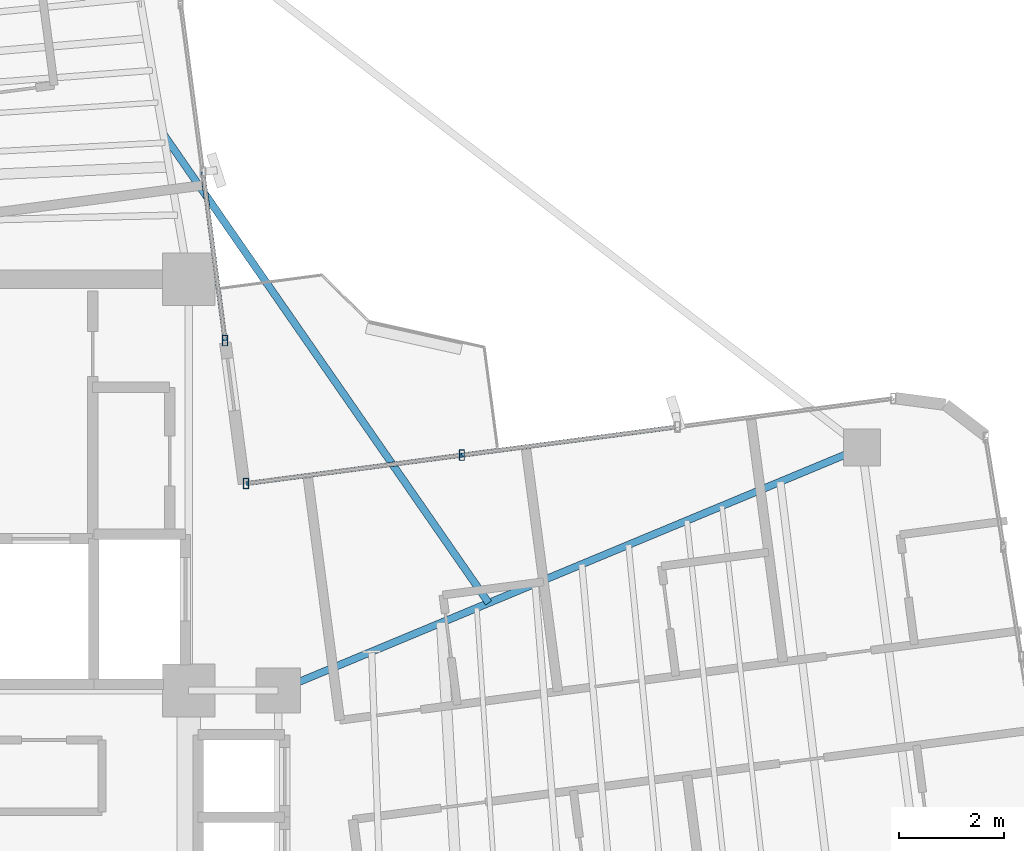
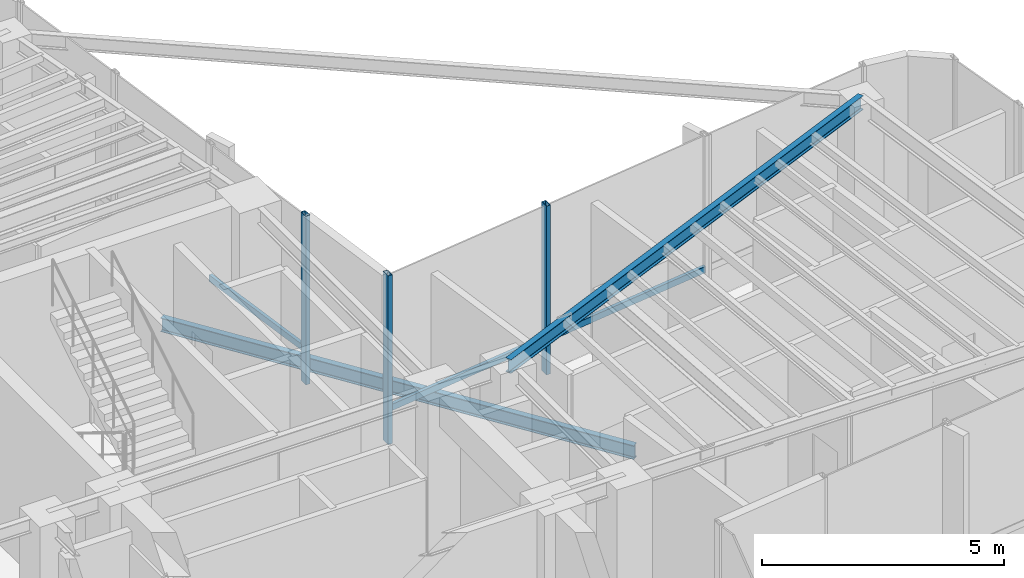
# One storey, part 7 of 20: 6 members, 2 beams, 2 elements without a shape of their own.
"""IFC4 building model written with IfcOpenShell, lengths in metres."""

import ifcopenshell
import ifcopenshell.guid

model = None  # the IFC model being written
_history = None  # IfcOwnerHistory: only IFC2X3 demands one
_inside = {}  # id of a spatial element -> (the spatial element, [elements in it])
_under = {}  # id of a project, library or spatial element -> (it, [spatial elements below it])
_declared = {}  # id of a project -> (the project, [libraries it declares])
_typed = {}  # id of a type object -> (the type object, [elements of that type])
_made_of = {}  # id of a material, layer set ... -> (it, [elements and type objects made of it])


def new_model(schema):
    """Start an empty IFC model of exactly this schema.

    Asked for "IFC4X3", IfcOpenShell would pick the latest addendum, in which some entities
    have other attributes; the version numbers below select the first issue.
    IFC2X3 requires an IfcOwnerHistory on every rooted entity: one is made here for all.
    """
    global model, _history
    if schema == "IFC4X3":
        model = ifcopenshell.file(schema_version=(4, 3, 0, 0))
    else:
        model = ifcopenshell.file(schema=schema)
    _inside.clear()
    _under.clear()
    _declared.clear()
    _typed.clear()
    _made_of.clear()
    _history = None
    if model.schema == "IFC2X3":
        org = make("IfcOrganization", Name="unknown")
        user = make(
            "IfcPersonAndOrganization",
            ThePerson=make("IfcPerson", FamilyName="unknown"),
            TheOrganization=org,
        )
        app = make(
            "IfcApplication",
            ApplicationDeveloper=org,
            Version="unknown",
            ApplicationFullName="unknown",
            ApplicationIdentifier="unknown",
        )
        _history = make(
            "IfcOwnerHistory",
            OwningUser=user,
            OwningApplication=app,
            ChangeAction="ADDED",
            CreationDate=0,
        )
    return model


def make(cls, **values):
    """One entity of the class cls with the attributes given. An attribute that is None is left unset."""
    return model.create_entity(
        cls, **{name: value for name, value in values.items() if value is not None}
    )


def rooted(cls, **values):
    """An entity with a GlobalId (a new one), such as an element, a storey or a relation."""
    return make(cls, GlobalId=ifcopenshell.guid.new(), OwnerHistory=_history, **values)


def si_unit(unit_type, name, prefix=None):
    """IfcSIUnit, for example si_unit("LENGTHUNIT", "METRE", prefix="MILLI")."""
    return make("IfcSIUnit", UnitType=unit_type, Prefix=prefix, Name=name)


def assignment(units):
    """IfcUnitAssignment: the units of a project."""
    return None if units is None else make("IfcUnitAssignment", Units=units)


def point(xyz):
    """IfcCartesianPoint."""
    return None if xyz is None else make("IfcCartesianPoint", Coordinates=xyz)


def direction(xyz):
    """IfcDirection."""
    return None if xyz is None else make("IfcDirection", DirectionRatios=xyz)


def frame(location, z_axis=None, x_axis=None):
    """IfcAxis2Placement3D, a coordinate frame: its origin and axes. An axis left out is left unset."""
    return make(
        "IfcAxis2Placement3D",
        Location=point(location),
        Axis=direction(z_axis),
        RefDirection=direction(x_axis),
    )


def frame_2d(location, x_axis=None):
    """IfcAxis2Placement2D, a coordinate frame in the plane: its origin and x axis."""
    return make(
        "IfcAxis2Placement2D", Location=point(location), RefDirection=direction(x_axis)
    )


def origin():
    """The frame at (0, 0, 0) with its axes left unset."""
    return frame((0.0, 0.0, 0.0))


def origin_2d():
    """The frame at (0, 0) in the plane with its x axis left unset."""
    return frame_2d((0.0, 0.0))


def place(relative_to, where):
    """IfcLocalPlacement: puts the frame where relative to a parent placement (None: the world)."""
    return make(
        "IfcLocalPlacement", PlacementRelTo=relative_to, RelativePlacement=where
    )


def context(
    kind, dimensions, precision=None, world=None, true_north=None, identifier=None
):
    """IfcGeometricRepresentationContext, for example the 3D "Model" context."""
    return make(
        "IfcGeometricRepresentationContext",
        ContextIdentifier=identifier,
        ContextType=kind,
        CoordinateSpaceDimension=dimensions,
        Precision=precision,
        WorldCoordinateSystem=world,
        TrueNorth=true_north,
    )


def subcontext(parent, identifier, kind, view, scale=None):
    """IfcGeometricRepresentationSubContext, for example "Body" below "Model"."""
    return make(
        "IfcGeometricRepresentationSubContext",
        ContextIdentifier=identifier,
        ContextType=kind,
        ParentContext=parent,
        TargetScale=scale,
        TargetView=view,
    )


def project(units=None, contexts=None):
    """IfcProject with its units and contexts."""
    return rooted(
        "IfcProject",
        Name="project",
        RepresentationContexts=contexts,
        UnitsInContext=assignment(units),
    )


def spatial(cls, under=None, at=None, **own):
    """A site, building, storey or space (cls), placed at a placement, below another one or the project."""
    s = rooted(cls, ObjectPlacement=at, **own)
    if under is not None:
        _under.setdefault(under.id(), (under, []))[1].append(s)
    return s


def profile(cls, at=None, kind="AREA", **sizes):
    """A parametric profile (cls). Its sizes go by their IFC names, for example OverallWidth=200.0."""
    return make(cls, ProfileType=kind, Position=at, **sizes)


def hollow_rectangle(**sizes):
    """IfcRectangleHollowProfileDef."""
    return profile("IfcRectangleHollowProfileDef", **sizes)


def i_section(**sizes):
    """IfcIShapeProfileDef."""
    return profile("IfcIShapeProfileDef", **sizes)


def extrude(swept, where, along, depth):
    """IfcExtrudedAreaSolid: the profile swept, set in the frame where, extruded along a direction by depth."""
    return make(
        "IfcExtrudedAreaSolid",
        SweptArea=swept,
        Position=where,
        ExtrudedDirection=direction(along),
        Depth=depth,
    )


def shape(context_of_items, identifier, shape_type, items):
    """IfcShapeRepresentation: the items that make up one representation, for example the "Body"."""
    return make(
        "IfcShapeRepresentation",
        ContextOfItems=context_of_items,
        RepresentationIdentifier=identifier,
        RepresentationType=shape_type,
        Items=items,
    )


def source(mapping_origin, context_of_items, identifier, shape_type, items):
    """IfcRepresentationMap: a shape defined once, which mapped items show again and again."""
    return make(
        "IfcRepresentationMap",
        MappingOrigin=mapping_origin,
        MappedRepresentation=shape(context_of_items, identifier, shape_type, items),
    )


def transform(
    local_origin,
    x_axis=None,
    y_axis=None,
    z_axis=None,
    scale=None,
    scale2=None,
    scale3=None,
    uniform=True,
):
    """IfcCartesianTransformationOperator3D, or its non-uniform kind. x_axis, y_axis, z_axis: its Axis1, 2, 3."""
    if uniform:
        return make(
            "IfcCartesianTransformationOperator3D",
            Axis1=direction(x_axis),
            Axis2=direction(y_axis),
            LocalOrigin=point(local_origin),
            Scale=scale,
            Axis3=direction(z_axis),
        )
    return make(
        "IfcCartesianTransformationOperator3DnonUniform",
        Axis1=direction(x_axis),
        Axis2=direction(y_axis),
        LocalOrigin=point(local_origin),
        Scale=scale,
        Axis3=direction(z_axis),
        Scale2=scale2,
        Scale3=scale3,
    )


def mapped(mapping_source, mapping_target):
    """IfcMappedItem: shows the shape of a source again, moved by a transform."""
    return make(
        "IfcMappedItem", MappingSource=mapping_source, MappingTarget=mapping_target
    )


def material(Name=None, Category=None):
    """IfcMaterial."""
    return make("IfcMaterial", Name=Name, Category=Category)


def material_profile(
    of_material, cross_section, Name=None, Category=None, Priority=None
):
    """IfcMaterialProfile: a cross section and its material."""
    return make(
        "IfcMaterialProfile",
        Name=Name,
        Material=of_material,
        Profile=cross_section,
        Priority=Priority,
        Category=Category,
    )


def profile_set(profiles, Name=None, composite=None):
    """IfcMaterialProfileSet."""
    return make(
        "IfcMaterialProfileSet",
        Name=Name,
        MaterialProfiles=profiles,
        CompositeProfile=composite,
    )


def made_of(thing, what):
    """Note that an element or type object is made of a material, layer set ...; save() writes the relation."""
    if what is not None:
        _made_of.setdefault(what.id(), (what, []))[1].append(thing)
    return thing


def type_object(cls, material=None, **own):
    """A type object (cls), such as IfcWallType, which elements share."""
    return made_of(rooted(cls, **own), material)


def element(
    cls,
    number,
    at=None,
    inside=None,
    cuts=None,
    type_object=None,
    material=None,
    context=None,
    identifier="Body",
    shape_type=None,
    held_by="IfcProductDefinitionShape",
    body=None,
    shapes=None,
    **own,
):
    """One element of the class cls, such as IfcWall. Its Tag is "e" and its number.

    at: its placement. inside: the storey or other place that contains it. cuts: it is an
    opening in that element (IfcRelVoidsElement). A single representation is given by context,
    identifier, shape_type and body (its items); several are given by shapes. held_by: the class
    of the entity that holds the representations. save() writes the other relations.
    """
    e = rooted(cls, Tag="e%d" % number, ObjectPlacement=at, **own)
    if body is not None:
        shapes = [shape(context, identifier, shape_type, body)]
    if shapes is not None:
        e.Representation = make(held_by, Representations=shapes)
    if inside is not None:
        _inside.setdefault(inside.id(), (inside, []))[1].append(e)
    if cuts is not None:
        rooted(
            "IfcRelVoidsElement", RelatingBuildingElement=cuts, RelatedOpeningElement=e
        )
    if type_object is not None:
        _typed.setdefault(type_object.id(), (type_object, []))[1].append(e)
    return made_of(e, material)


def aggregate(whole, parts):
    """IfcRelAggregates: a whole, such as a stair, and the parts it consists of."""
    return rooted("IfcRelAggregates", RelatingObject=whole, RelatedObjects=parts)


def save(model, path):
    """Write the relations noted so far, then the file.

    IfcRelAggregates (storeys below a building ...), IfcRelContainedInSpatialStructure (elements
    in a storey), IfcRelDefinesByType, IfcRelAssociatesMaterial and IfcRelDeclares: one each for
    every whole, place, type object, material and project.
    """
    for whole, parts in _under.values():
        aggregate(whole, parts)
    for where, things in _inside.values():
        rooted(
            "IfcRelContainedInSpatialStructure",
            RelatedElements=things,
            RelatingStructure=where,
        )
    for kind, things in _typed.values():
        rooted("IfcRelDefinesByType", RelatedObjects=things, RelatingType=kind)
    for what, things in _made_of.values():
        rooted("IfcRelAssociatesMaterial", RelatedObjects=things, RelatingMaterial=what)
    for by, libraries in _declared.values():
        rooted("IfcRelDeclares", RelatingContext=by, RelatedDefinitions=libraries)
    model.write(path)


model = new_model("IFC4")

# Units and contexts
model_context = context("Model", 3, precision=1e-05, world=origin(), true_north=direction((0.0, 1.0)))
body_context = subcontext(model_context, "Body", "Model", "MODEL_VIEW")
ifc_project = project(units=[si_unit("LENGTHUNIT", "METRE"), si_unit("AREAUNIT", "SQUARE_METRE"), si_unit("VOLUMEUNIT", "CUBIC_METRE"), si_unit("PLANEANGLEUNIT", "RADIAN"), si_unit("MASSUNIT", "GRAM", prefix="KILO")], contexts=[model_context])

# Site, building, storey
site_placement = place(None, origin())
site = spatial("IfcSite", under=ifc_project, at=site_placement, CompositionType="ELEMENT")
building_placement = place(site_placement, origin())
building = spatial("IfcBuilding", under=site, at=building_placement, Name="Sahyath Konkavel Grand Hotel", CompositionType="ELEMENT")
storey_placement = place(building_placement, frame((0.0, 0.0, 229.949951171875)))
storey = spatial("IfcBuildingStorey", under=building, at=storey_placement, Name="L64", CompositionType="ELEMENT", Elevation=229.949951171875)

# Beam
ifc_material_1 = material(Name="Steel E350", Category="steel")
ifc_material_profile_1 = material_profile(ifc_material_1, i_section(OverallWidth=0.139892578125, OverallDepth=0.35009765625, WebThickness=0.008056640625, FlangeThickness=0.01416015625, FilletRadius=0.013916015625, at=origin_2d()), Name="ISMB 350")
ifc_profile_set_1 = profile_set([ifc_material_profile_1], Name="Steel E350")
beam_type_1 = type_object("IfcBeamType", Name="BM-ISMB350", PredefinedType="BEAM", material=ifc_profile_set_1)
shared_shape_1 = source(origin(), body_context, "Body", "SweptSolid", [
    extrude(i_section(OverallWidth=0.139892578125, OverallDepth=0.35009765625, WebThickness=0.008056640625, FlangeThickness=0.01416015625, FilletRadius=0.013916015625, at=origin_2d()), origin(), (0.0, 0.0, 1.0), 11.994140625),
])
beam_1_placement = place(storey_placement, frame((5.5, 2.39990234375, 4.0849609375), z_axis=(0.923308009601, 0.384060306992, 0.0), x_axis=(-0.384060306992, 0.923308009601, 0.0)))
element("IfcBeam", 1, at=beam_1_placement, inside=storey, type_object=beam_type_1, Name="L64 Cruciform Radial Girder EB", PredefinedType="BEAM", context=body_context, shape_type="MappedRepresentation", body=[
    mapped(shared_shape_1, transform((0.0, 0.0, 0.0), scale=1.0)),
])

# Curtain wall, members
ifc_material_2 = material(Name="Anodised Bronze Aluminium & Low-E Glazing", Category="aluminium")
curtain_wall_type = type_object("IfcCurtainWallType", Name="CW-SKYLOBBY", PredefinedType="NOTDEFINED", material=ifc_material_2)
curtain_wall_1_placement = place(storey_placement, origin())
curtain_wall_1 = element("IfcCurtainWall", 2, at=curtain_wall_1_placement, inside=storey, type_object=curtain_wall_type, Name="L64 Unitised Curtain Wall F7", PredefinedType="NOTDEFINED")
ifc_material_3 = material(Name="Anodised Bronze Aluminium", Category="aluminium")
ifc_material_profile_2 = material_profile(ifc_material_3, hollow_rectangle(XDim=0.10009765625, YDim=0.199951171875, WallThickness=0.008056640625, at=origin_2d()), Name="RHS 200x100x8")
ifc_profile_set_2 = profile_set([ifc_material_profile_2], Name="Anodised Bronze Aluminium")
member_type_1 = type_object("IfcMemberType", Name="CW-MUL-200", PredefinedType="MULLION", material=ifc_profile_set_2)
shared_shape_2 = source(origin(), body_context, "Body", "SweptSolid", [
    extrude(hollow_rectangle(XDim=0.10009765625, YDim=0.199951171875, WallThickness=0.008056640625, at=origin_2d()), origin(), (0.0, 0.0, 1.0), 4.260009765625),
])
member_1_placement = place(storey_placement, frame((8.98193359375, 6.864013671875, 0.0), z_axis=(0.0, 0.0, 1.0), x_axis=(1.0, 0.0, 0.0)))
member_1 = element("IfcMember", 3, at=member_1_placement, type_object=member_type_1, Name="L64 Curtain Wall Mullion F7-2", PredefinedType="MULLION", context=body_context, shape_type="MappedRepresentation", body=[
    mapped(shared_shape_2, transform((0.0, 0.0, 0.0), scale=1.0)),
])
member_2_placement = place(storey_placement, frame((4.889404296875, 6.3251953125, 0.0), z_axis=(0.0, 0.0, 1.0), x_axis=(1.0, 0.0, 0.0)))
member_2 = element("IfcMember", 4, at=member_2_placement, type_object=member_type_1, Name="L64 Curtain Wall Mullion F7-3", PredefinedType="MULLION", context=body_context, shape_type="MappedRepresentation", body=[
    mapped(shared_shape_2, transform((0.0, 0.0, 0.0), scale=1.0)),
])

curtain_wall_2_placement = place(storey_placement, origin())
curtain_wall_2 = element("IfcCurtainWall", 5, at=curtain_wall_2_placement, inside=storey, type_object=curtain_wall_type, Name="L64 Unitised Curtain Wall F8", PredefinedType="NOTDEFINED")
member_3_placement = place(storey_placement, frame((4.491943359375, 9.03662109375, 0.0), z_axis=(0.0, 0.0, 1.0), x_axis=(1.0, 0.0, 0.0)))
member_3 = element("IfcMember", 6, at=member_3_placement, type_object=member_type_1, Name="L64 Curtain Wall Mullion F8-0", PredefinedType="MULLION", context=body_context, shape_type="MappedRepresentation", body=[
    mapped(shared_shape_2, transform((0.0, 0.0, 0.0), scale=1.0)),
])
ifc_material_profile_3 = material_profile(ifc_material_3, hollow_rectangle(XDim=0.080078125, YDim=0.159912109375, WallThickness=0.006103515625, at=origin_2d()), Name="RHS 160x80x6")
ifc_profile_set_3 = profile_set([ifc_material_profile_3], Name="Anodised Bronze Aluminium")
member_type_2 = type_object("IfcMemberType", Name="CW-TRN-160", PredefinedType="USERDEFINED", material=ifc_profile_set_3)
shared_shape_3 = source(origin(), body_context, "Body", "SweptSolid", [
    extrude(hollow_rectangle(XDim=0.080078125, YDim=0.159912109375, WallThickness=0.006103515625, at=origin_2d()), origin(), (0.0, 0.0, 1.0), 3.22802734375),
])
member_4_placement = place(storey_placement, frame((4.491943359375, 9.03662109375, 0.85009765625), z_axis=(-0.130538637773, 0.991443222806, 0.0), x_axis=(-0.991443222806, -0.130538637773, 0.0)))
member_4 = element("IfcMember", 7, at=member_4_placement, type_object=member_type_2, Name="L64 Curtain Wall Transom F8-0-spandrel", ObjectType="TRANSOM", PredefinedType="USERDEFINED", context=body_context, shape_type="MappedRepresentation", body=[
    mapped(shared_shape_3, transform((0.0, 0.0, 0.0), scale=1.0)),
])
aggregate(curtain_wall_2, [member_3, member_4])

# Member
shared_shape_4 = source(origin(), body_context, "Body", "SweptSolid", [
    extrude(hollow_rectangle(XDim=0.080078125, YDim=0.159912109375, WallThickness=0.006103515625, at=origin_2d()), origin(), (0.0, 0.0, 1.0), 4.1279296875),
])
member_5_placement = place(storey_placement, frame((8.98193359375, 6.864013671875, 0.85009765625), z_axis=(-0.991444025678, -0.1305325398, 0.0), x_axis=(0.1305325398, -0.991444025678, 0.0)))
member_5 = element("IfcMember", 8, at=member_5_placement, type_object=member_type_2, Name="L64 Curtain Wall Transom F7-2-spandrel", ObjectType="TRANSOM", PredefinedType="USERDEFINED", context=body_context, shape_type="MappedRepresentation", body=[
    mapped(shared_shape_4, transform((0.0, 0.0, 0.0), scale=1.0)),
])

shared_shape_5 = source(origin(), body_context, "Body", "SweptSolid", [
    extrude(hollow_rectangle(XDim=0.080078125, YDim=0.159912109375, WallThickness=0.006103515625, at=origin_2d()), origin(), (0.0, 0.0, 1.0), 4.128173828125),
])
member_6_placement = place(storey_placement, frame((13.07470703125, 7.40283203125, 0.85009765625), z_axis=(-0.991445033343, -0.130524885981, 0.0), x_axis=(0.130524885981, -0.991445033343, 0.0)))
member_6 = element("IfcMember", 9, at=member_6_placement, type_object=member_type_2, Name="L64 Curtain Wall Transom F7-1-spandrel", ObjectType="TRANSOM", PredefinedType="USERDEFINED", context=body_context, shape_type="MappedRepresentation", body=[
    mapped(shared_shape_5, transform((0.0, 0.0, 0.0), scale=1.0)),
])

aggregate(curtain_wall_1, [member_1, member_2, member_6, member_5])

# Beam
ifc_material_profile_4 = material_profile(ifc_material_1, i_section(OverallWidth=0.139892578125, OverallDepth=0.35009765625, WebThickness=0.008056640625, FlangeThickness=0.01416015625, FilletRadius=0.013916015625, at=origin_2d()), Name="ISMB 350")
ifc_profile_set_4 = profile_set([ifc_material_profile_4], Name="Steel E350")
beam_type_2 = type_object("IfcBeamType", Name="BM-BALC-CANT", PredefinedType="BEAM", material=ifc_profile_set_4)
shared_shape_6 = source(origin(), body_context, "Body", "SweptSolid", [
    extrude(i_section(OverallWidth=0.139892578125, OverallDepth=0.35009765625, WebThickness=0.008056640625, FlangeThickness=0.01416015625, FilletRadius=0.013916015625, at=origin_2d()), origin(), (0.0, 0.0, 1.0), 10.81787109375),
])
beam_2_placement = place(storey_placement, frame((9.4912109375, 4.060791015625, -0.474853515625), z_axis=(-0.569990141285, 0.82165153127, 0.0), x_axis=(-0.82165153127, -0.569990141285, 0.0)))
element("IfcBeam", 10, at=beam_2_placement, inside=storey, type_object=beam_type_2, Name="L64 Balcony Cantilever Support Beam NE", PredefinedType="BEAM", context=body_context, shape_type="MappedRepresentation", body=[
    mapped(shared_shape_6, transform((0.0, 0.0, 0.0), scale=1.0)),
])

save(model, "model.ifc")
